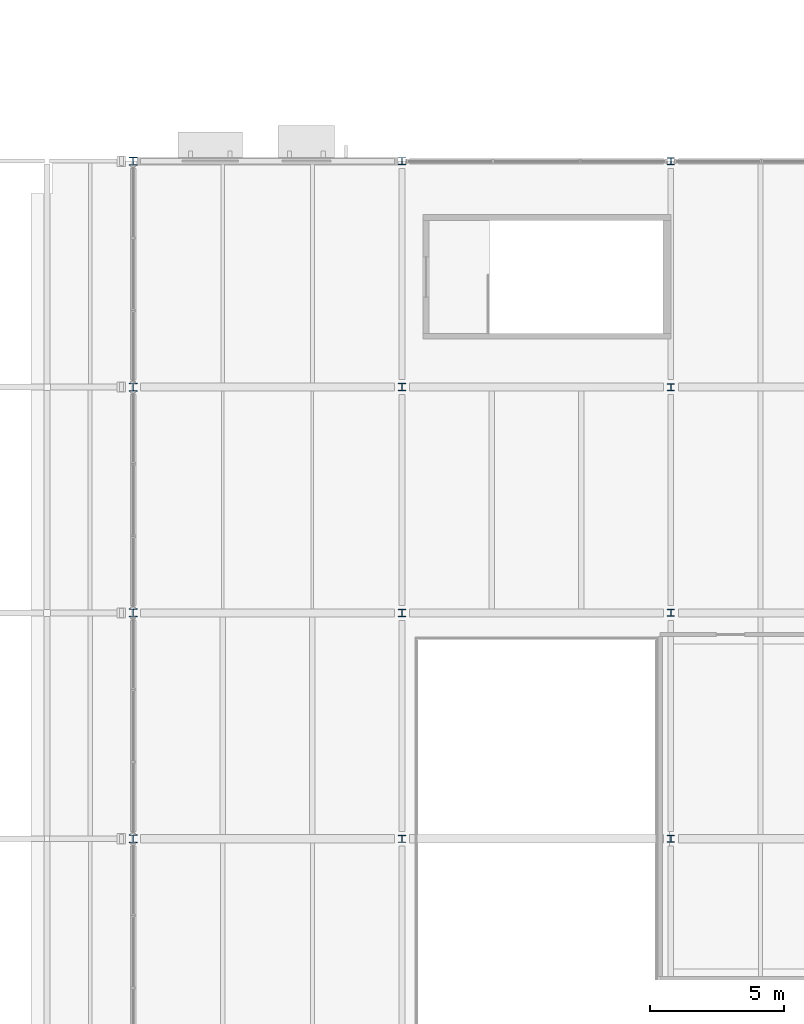
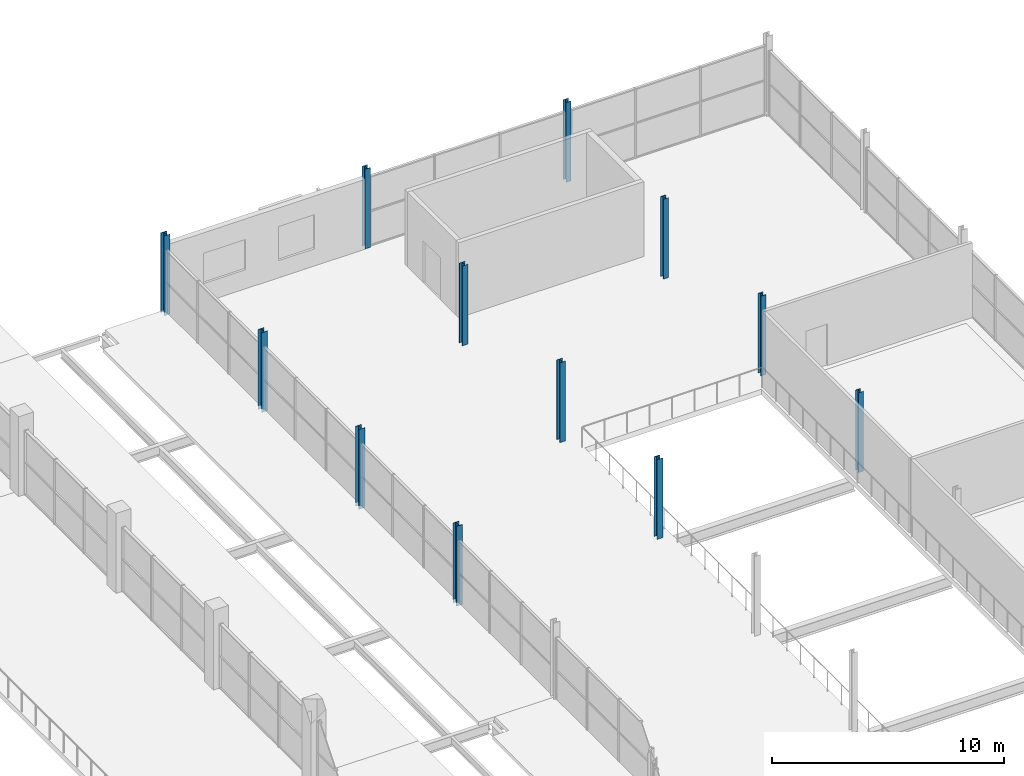
# One storey, part 15 of 161: 12 columns.
"""IFC4 building model written with IfcOpenShell, lengths in metres."""

from ifc_helpers import new_model, si_unit, direction, frame, origin, origin_2d, place, context, subcontext, project, spatial, i_section, extrude, material, material_profile, profile_set, type_object, element, save


model = new_model("IFC4")

# Units and contexts
model_context = context("Model", 3, precision=1e-05, world=origin(), true_north=direction((0.0, 1.0)))
body_context = subcontext(model_context, "Body", "Model", "MODEL_VIEW")
ifc_project = project(units=[si_unit("LENGTHUNIT", "METRE"), si_unit("AREAUNIT", "SQUARE_METRE"), si_unit("VOLUMEUNIT", "CUBIC_METRE"), si_unit("PLANEANGLEUNIT", "RADIAN"), si_unit("MASSUNIT", "GRAM", prefix="KILO"), si_unit("THERMODYNAMICTEMPERATUREUNIT", "KELVIN")], contexts=[model_context])

# Site, building, storey
site_placement = place(None, origin())
site = spatial("IfcSite", under=ifc_project, at=site_placement, CompositionType="ELEMENT")
building_placement = place(site_placement, origin())
building = spatial("IfcBuilding", under=site, at=building_placement, Name="Nduvali Passage Aquatics Centre", CompositionType="ELEMENT")
storey_placement = place(building_placement, frame((0.0, 0.0, 4.800048828125)))
storey = spatial("IfcBuildingStorey", under=building, at=storey_placement, Name="L01", CompositionType="ELEMENT", Elevation=4.800048828125)

# Columns
ifc_material = material(Name="Steel S355", Category="steel")
ifc_material_profile_1 = material_profile(ifc_material, i_section(OverallWidth=0.280029296875, OverallDepth=0.27001953125, WebThickness=0.008056640625, FlangeThickness=0.012939453125, FilletRadius=0.02392578125, at=origin_2d()), Name="HEA 280")
ifc_profile_set_1 = profile_set([ifc_material_profile_1], Name="Steel S355")
column_type_1 = type_object("IfcColumnType", Name="STR-COL-HEA280", PredefinedType="COLUMN", material=ifc_profile_set_1)
for number, where, z_axis, x_axis, name in (
    (1, (148.0, 67.199951171875, 0.0), (0.0, 0.0, 1.0), (1.0, 0.0, 0.0), "L01 Column C9A (148.0, 67.2)"),
    (2, (148.0, 75.60009765625, 0.0), (0.0, 0.0, 1.0), (1.0, 0.0, 0.0), "L01 Column C9A (148.0, 75.6)"),
    (3, (148.0, 84.0, 0.0), (0.0, 0.0, 1.0), (1.0, 0.0, 0.0), "L01 Column C9A (148.0, 84.0)"),
):
    element("IfcColumn", number, at=place(storey_placement, frame(where, z_axis=z_axis, x_axis=x_axis)), inside=storey, type_object=column_type_1, Name=name, PredefinedType="COLUMN", context=body_context, shape_type="SweptSolid", body=[
        extrude(i_section(OverallWidth=0.280029296875, OverallDepth=0.27001953125, WebThickness=0.008056640625, FlangeThickness=0.012939453125, FilletRadius=0.02392578125, at=origin_2d()), origin(), (0.0, 0.0, 1.0), 4.199951171875),
    ])
ifc_material_profile_2 = material_profile(ifc_material, i_section(OverallWidth=0.280029296875, OverallDepth=0.27001953125, WebThickness=0.008056640625, FlangeThickness=0.012939453125, FilletRadius=0.02392578125, at=origin_2d()), Name="HEA 280")
ifc_profile_set_2 = profile_set([ifc_material_profile_2], Name="Steel S355")
column_type_2 = type_object("IfcColumnType", Name="STR-COL-HEA280-EXT", PredefinedType="COLUMN", material=ifc_profile_set_2)
column_1_placement = place(storey_placement, frame((148.0, 92.39990234375, 0.0), z_axis=(0.0, 0.0, 1.0), x_axis=(1.0, 0.0, 0.0)))
element("IfcColumn", 4, at=column_1_placement, inside=storey, type_object=column_type_2, Name="L01 Column C9AE (148.0, 92.4)", PredefinedType="COLUMN", context=body_context, shape_type="SweptSolid", body=[
    extrude(i_section(OverallWidth=0.280029296875, OverallDepth=0.27001953125, WebThickness=0.008056640625, FlangeThickness=0.012939453125, FilletRadius=0.02392578125, at=origin_2d()), origin(), (0.0, 0.0, 1.0), 4.199951171875),
])
ifc_material_profile_3 = material_profile(ifc_material, i_section(OverallWidth=0.300048828125, OverallDepth=0.300048828125, WebThickness=0.010986328125, FlangeThickness=0.01904296875, FilletRadius=0.027099609375, at=origin_2d()), Name="HEB 300")
ifc_profile_set_3 = profile_set([ifc_material_profile_3], Name="Steel S355")
column_type_3 = type_object("IfcColumnType", Name="STR-COL-HEB300-EXT", PredefinedType="COLUMN", material=ifc_profile_set_3)
for number, where, z_axis, x_axis, name in (
    (5, (138.0, 67.199951171875, 0.0), (0.0, 0.0, 1.0), (1.0, 0.0, 0.0), "L01 Column C8E (138.0, 67.2)"),
    (6, (138.0, 75.60009765625, 0.0), (0.0, 0.0, 1.0), (1.0, 0.0, 0.0), "L01 Column C8E (138.0, 75.6)"),
    (7, (138.0, 84.0, 0.0), (0.0, 0.0, 1.0), (1.0, 0.0, 0.0), "L01 Column C8E (138.0, 84.0)"),
    (8, (138.0, 92.39990234375, 0.0), (0.0, 0.0, 1.0), (1.0, 0.0, 0.0), "L01 Column C8E (138.0, 92.4)"),
):
    element("IfcColumn", number, at=place(storey_placement, frame(where, z_axis=z_axis, x_axis=x_axis)), inside=storey, type_object=column_type_3, Name=name, PredefinedType="COLUMN", context=body_context, shape_type="SweptSolid", body=[
        extrude(i_section(OverallWidth=0.300048828125, OverallDepth=0.300048828125, WebThickness=0.010986328125, FlangeThickness=0.01904296875, FilletRadius=0.027099609375, at=origin_2d()), origin(), (0.0, 0.0, 1.0), 4.199951171875),
    ])
ifc_material_profile_4 = material_profile(ifc_material, i_section(OverallWidth=0.25634765625, OverallDepth=0.26025390625, WebThickness=0.01025390625, FlangeThickness=0.017333984375, FilletRadius=0.0126953125, at=origin_2d()), Name="UKC 254x254x89")
ifc_profile_set_4 = profile_set([ifc_material_profile_4], Name="Steel S355")
column_type_4 = type_object("IfcColumnType", Name="STR-COL-UKC254", PredefinedType="COLUMN", material=ifc_profile_set_4)
for number, where, z_axis, x_axis, name in (
    (9, (158.0, 67.199951171875, 0.0), (0.0, 0.0, 1.0), (1.0, 0.0, 0.0), "L01 Column C6B (158.0, 67.2)"),
    (10, (158.0, 75.60009765625, 0.0), (0.0, 0.0, 1.0), (1.0, 0.0, 0.0), "L01 Column C6B (158.0, 75.6)"),
    (11, (158.0, 84.0, 0.0), (0.0, 0.0, 1.0), (1.0, 0.0, 0.0), "L01 Column C6B (158.0, 84.0)"),
):
    element("IfcColumn", number, at=place(storey_placement, frame(where, z_axis=z_axis, x_axis=x_axis)), inside=storey, type_object=column_type_4, Name=name, PredefinedType="COLUMN", context=body_context, shape_type="SweptSolid", body=[
        extrude(i_section(OverallWidth=0.25634765625, OverallDepth=0.26025390625, WebThickness=0.01025390625, FlangeThickness=0.017333984375, FilletRadius=0.0126953125, at=origin_2d()), origin(), (0.0, 0.0, 1.0), 4.199951171875),
    ])
ifc_material_profile_5 = material_profile(ifc_material, i_section(OverallWidth=0.25634765625, OverallDepth=0.26025390625, WebThickness=0.01025390625, FlangeThickness=0.017333984375, FilletRadius=0.0126953125, at=origin_2d()), Name="UKC 254x254x89")
ifc_profile_set_5 = profile_set([ifc_material_profile_5], Name="Steel S355")
column_type_5 = type_object("IfcColumnType", Name="STR-COL-UKC254-EXT", PredefinedType="COLUMN", material=ifc_profile_set_5)
column_2_placement = place(storey_placement, frame((158.0, 92.39990234375, 0.0), z_axis=(0.0, 0.0, 1.0), x_axis=(1.0, 0.0, 0.0)))
element("IfcColumn", 12, at=column_2_placement, inside=storey, type_object=column_type_5, Name="L01 Column C6BE (158.0, 92.4)", PredefinedType="COLUMN", context=body_context, shape_type="SweptSolid", body=[
    extrude(i_section(OverallWidth=0.25634765625, OverallDepth=0.26025390625, WebThickness=0.01025390625, FlangeThickness=0.017333984375, FilletRadius=0.0126953125, at=origin_2d()), origin(), (0.0, 0.0, 1.0), 4.199951171875),
])

save(model, "model.ifc")
